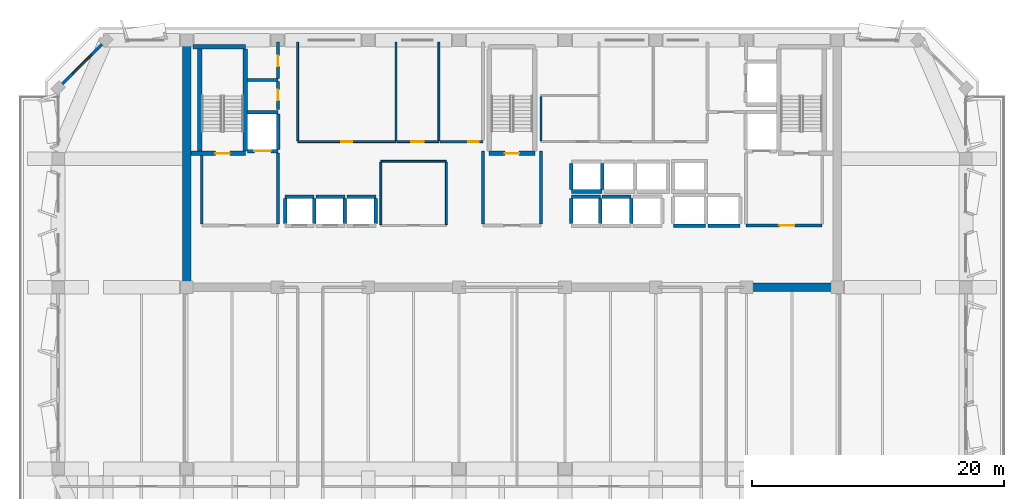
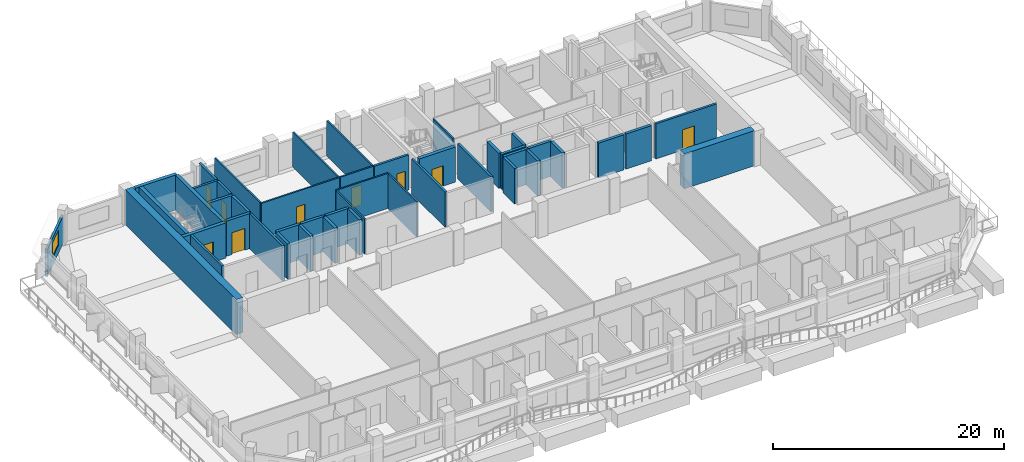
# One storey, part 7 of 13: 46 walls, 9 doors, 1 window, 10 openings.
"""IFC4 building model written with IfcOpenShell, lengths in metres."""

from ifc_helpers import new_model, si_unit, direction, frame, frame_2d, origin, place, context, subcontext, project, spatial, rectangle, extrude, material, layer, layer_set, type_object, element, fill, save


model = new_model("IFC4")

# Units and contexts
model_context = context("Model", 3, precision=1e-05, world=origin(), true_north=direction((0.0, 1.0)))
body_context = subcontext(model_context, "Body", "Model", "MODEL_VIEW")
ifc_project = project(units=[si_unit("LENGTHUNIT", "METRE"), si_unit("AREAUNIT", "SQUARE_METRE"), si_unit("VOLUMEUNIT", "CUBIC_METRE"), si_unit("PLANEANGLEUNIT", "RADIAN"), si_unit("MASSUNIT", "GRAM", prefix="KILO")], contexts=[model_context])

# Site, building, storey
site_placement = place(None, origin())
site = spatial("IfcSite", under=ifc_project, at=site_placement, CompositionType="ELEMENT")
building_placement = place(site_placement, origin())
building = spatial("IfcBuilding", under=site, at=building_placement, Name="Kaelvorn Grand Hotel", CompositionType="ELEMENT")
storey_placement = place(building_placement, frame((0.0, 0.0, 229.14990234375)))
storey = spatial("IfcBuildingStorey", under=building, at=storey_placement, Name="L56", CompositionType="ELEMENT", Elevation=229.14990234375)

# Walls
ifc_material_1 = material(Name="Concrete C50/60", Category="concrete")
ifc_layer_1 = layer(ifc_material_1, 0.699951171875)
ifc_layer_set_1 = layer_set([ifc_layer_1], Name="Concrete C50/60")
wall_type_1 = type_object("IfcWallType", Name="WL-CORE-700-C50", PredefinedType="SHEAR", material=ifc_layer_set_1)
wall_1_placement = place(storey_placement, frame((16.199951171875, 29.39990234375, 0.0), z_axis=(0.0, 0.0, 1.0), x_axis=(0.0, 1.0, 0.0)))
element("IfcWall", 1, at=wall_1_placement, inside=storey, type_object=wall_type_1, Name="L56 Rear-Core West Shear Wall", PredefinedType="SHEAR", context=body_context, shape_type="SweptSolid", body=[
    extrude(rectangle(XDim=19.2001953125, YDim=0.699951171875, at=frame_2d((9.60009765625, 0.0))), origin(), (0.0, 0.0, 1.0), 3.710205078125),
])
wall_2_placement = place(storey_placement, frame((60.39990234375, 29.39990234375, 0.0), z_axis=(0.0, 0.0, 1.0), x_axis=(1.0, 0.0, 0.0)))
element("IfcWall", 2, at=wall_2_placement, inside=storey, type_object=wall_type_1, Name="L56 Rear-Core Coupled Shear Pier S4", PredefinedType="SHEAR", context=body_context, shape_type="SweptSolid", body=[
    extrude(rectangle(XDim=7.045166015625, YDim=0.699951171875, at=frame_2d((3.5224609375, 0.0))), origin(), (0.0, 0.0, 1.0), 3.710205078125),
])

# Wall, opening, window
ifc_material_2 = material(Name="Concrete C40/50", Category="concrete")
ifc_layer_2 = layer(ifc_material_2, 0.219970703125)
ifc_layer_set_2 = layer_set([ifc_layer_2], Name="Concrete C40/50")
wall_type_2 = type_object("IfcWallType", Name="WL-EXT-220-C40", PredefinedType="SOLIDWALL", material=ifc_layer_set_2)
wall_3_placement = place(storey_placement, frame((9.800048828125, 49.0, 0.0), z_axis=(0.0, 0.0, 1.0), x_axis=(-0.707106781187, -0.707106781187, 0.0)))
wall_3 = element("IfcWall", 3, at=wall_3_placement, inside=storey, type_object=wall_type_2, Name="L56 Exterior Architectural Concrete Wall 06", PredefinedType="SOLIDWALL", context=body_context, shape_type="SweptSolid", body=[
    extrude(rectangle(XDim=5.3740234375, YDim=0.219970703125, at=frame_2d((2.68701171875, 0.0))), origin(), (0.0, 0.0, 1.0), 2.91015625),
])
opening_1_placement = place(wall_3_placement, frame((1.636962890625, 0.0, 0.85009765625)))
opening_1 = element("IfcOpeningElement", 4, at=opening_1_placement, cuts=wall_3, Name="Opening W7", PredefinedType="OPENING", context=body_context, shape_type="SweptSolid", body=[
    extrude(rectangle(XDim=2.10009765625, YDim=1.60009765625, at=frame_2d((1.050048828125, 0.800048828125))), frame((0.0, 0.1201171875, 0.0), z_axis=(0.0, -1.0, 0.0), x_axis=(1.0, 0.0, 0.0)), (0.0, 0.0, 1.0), 0.239990234375),
])
ifc_material_3 = material(Name="Laminated Low-E Glass", Category="glass")
window_type = type_object("IfcWindowType", Name="WIN-CHM-2100x1600", PartitioningType="SINGLE_PANEL", PredefinedType="WINDOW", material=ifc_material_3)
window_placement = place(opening_1_placement, origin())
window = element("IfcWindow", 5, at=window_placement, inside=storey, type_object=window_type, Name="L56 Chamfered 45-Degree Corner Window NW", OverallHeight=1.60009765625, OverallWidth=2.10009765625, PartitioningType="SINGLE_PANEL", PredefinedType="WINDOW", context=body_context, shape_type="SweptSolid", body=[
    extrude(rectangle(XDim=2.10009765625, YDim=1.60009765625, at=frame_2d((1.050048828125, 0.800048828125))), frame((0.0, 0.030029296875, 0.0), z_axis=(0.0, -1.0, 0.0), x_axis=(1.0, 0.0, 0.0)), (0.0, 0.0, 1.0), 0.06005859375),
])
fill(opening_1, window)

# Walls
ifc_material_4 = material(Name="Moisture-Resistant Tile & Stud Board")
ifc_layer_3 = layer(ifc_material_4, 0.125)
ifc_layer_set_3 = layer_set([ifc_layer_3], Name="Moisture-Resistant Tile & Stud Board")
wall_type_3 = type_object("IfcWallType", Name="WL-PART-125-WET", PredefinedType="PARTITIONING", material=ifc_layer_set_3)
wall_4_placement = place(storey_placement, frame((44.300048828125, 41.017578125, 0.0), z_axis=(0.0, 0.0, 1.0), x_axis=(0.0, 1.0, 0.0)))
element("IfcWall", 6, at=wall_4_placement, inside=storey, type_object=wall_type_3, Name="L56 Accessible WC W Partition", PredefinedType="PARTITIONING", context=body_context, shape_type="SweptSolid", body=[
    extrude(rectangle(XDim=3.514892578125, YDim=0.125, at=frame_2d((1.75732421875, 0.0))), origin(), (0.0, 0.0, 1.0), 3.710205078125),
])
ifc_material_5 = material(Name="Acoustic Gypsum & Stud Partition")
ifc_layer_4 = layer(ifc_material_5, 0.14990234375)
ifc_layer_set_4 = layer_set([ifc_layer_4], Name="Acoustic Gypsum & Stud Partition")
wall_type_4 = type_object("IfcWallType", Name="WL-PART-150-EI60", PredefinedType="PARTITIONING", material=ifc_layer_set_4)
wall_5_placement = place(storey_placement, frame((31.60009765625, 39.39990234375, 0.0), z_axis=(0.0, 0.0, 1.0), x_axis=(1.0, 0.0, 0.0)))
element("IfcWall", 7, at=wall_5_placement, inside=storey, type_object=wall_type_4, Name="L56 Core Telecoms & BMS Server Room N Partition", PredefinedType="PARTITIONING", context=body_context, shape_type="SweptSolid", body=[
    extrude(rectangle(XDim=5.199951171875, YDim=0.14990234375, at=frame_2d((2.60009765625, 0.0))), origin(), (0.0, 0.0, 1.0), 3.710205078125),
])
for number, where, z_axis, x_axis, name in (
    (8, (31.60009765625, 34.3798828125, 0.0), (0.0, 0.0, 1.0), (0.0, 1.0, 0.0), "L56 Core Telecoms & BMS Server Room W Partition"),
    (9, (36.800048828125, 34.3798828125, 0.0), (0.0, 0.0, 1.0), (0.0, 1.0, 0.0), "L56 Core Telecoms & BMS Server Room E Partition"),
):
    element("IfcWall", number, at=place(storey_placement, frame(where, z_axis=z_axis, x_axis=x_axis)), inside=storey, type_object=wall_type_4, Name=name, PredefinedType="PARTITIONING", context=body_context, shape_type="SweptSolid", body=[
        extrude(rectangle(XDim=4.940185546875, YDim=0.14990234375, at=frame_2d((2.47021484375, 0.0))), origin(), (0.0, 0.0, 1.0), 3.710205078125),
    ])

# Wall, opening, door
wall_6_placement = place(storey_placement, frame((25.0, 40.949951171875, 0.0), z_axis=(0.0, 0.0, 1.0), x_axis=(1.0, 0.0, 0.0)))
wall_6 = element("IfcWall", 10, at=wall_6_placement, inside=storey, type_object=wall_type_4, Name="L56 Housekeeping & Linen Room S Partition", PredefinedType="PARTITIONING", context=body_context, shape_type="SweptSolid", body=[
    extrude(rectangle(XDim=7.800048828125, YDim=0.14990234375, at=frame_2d((3.89990234375, 0.0))), origin(), (0.0, 0.0, 1.0), 3.710205078125),
])
opening_2_placement = place(wall_6_placement, frame((3.47509765625, 0.0, 0.0)))
opening_2 = element("IfcOpeningElement", 11, at=opening_2_placement, cuts=wall_6, Name="Opening DI7", PredefinedType="OPENING", context=body_context, shape_type="SweptSolid", body=[
    extrude(rectangle(XDim=0.85009765625, YDim=2.10009765625, at=frame_2d((0.425048828125, 1.050048828125))), frame((0.0, 0.0849609375, 0.0), z_axis=(0.0, -1.0, 0.0), x_axis=(1.0, 0.0, 0.0)), (0.0, 0.0, 1.0), 0.169921875),
])
ifc_material_6 = material(Name="Powder-Coated Steel Leaf", Category="steel")
door_type_1 = type_object("IfcDoorType", Name="DR-INT-RISER-850x2100", OperationType="NOTDEFINED", PredefinedType="DOOR", material=ifc_material_6)
door_1_placement = place(opening_2_placement, origin())
door_1 = element("IfcDoor", 12, at=door_1_placement, inside=storey, type_object=door_type_1, Name="L56 Housekeeping & Linen Room Door", OperationType="SINGLE_SWING_LEFT", OverallHeight=2.10009765625, OverallWidth=0.85009765625, PredefinedType="DOOR", context=body_context, shape_type="SweptSolid", body=[
    extrude(rectangle(XDim=0.85009765625, YDim=2.10009765625, at=frame_2d((0.425048828125, 1.050048828125))), frame((0.0, 0.02490234375, 0.0), z_axis=(0.0, -1.0, 0.0), x_axis=(1.0, 0.0, 0.0)), (0.0, 0.0, 1.0), 0.050048828125),
])
fill(opening_2, door_1)

# Walls
for number, where, z_axis, x_axis, name in (
    (13, (25.0, 41.030029296875, 0.0), (0.0, 0.0, 1.0), (0.0, 1.0, 0.0), "L56 Housekeeping & Linen Room W Partition"),
    (14, (32.800048828125, 41.030029296875, 0.0), (0.0, 0.0, 1.0), (0.0, 1.0, 0.0), "L56 Housekeeping & Linen Room E Partition"),
):
    element("IfcWall", number, at=place(storey_placement, frame(where, z_axis=z_axis, x_axis=x_axis)), inside=storey, type_object=wall_type_4, Name=name, PredefinedType="PARTITIONING", context=body_context, shape_type="SweptSolid", body=[
        extrude(rectangle(XDim=7.820068359375, YDim=0.14990234375, at=frame_2d((3.91015625, 0.0))), origin(), (0.0, 0.0, 1.0), 3.710205078125),
    ])

# Wall, opening, door
wall_7_placement = place(storey_placement, frame((32.8798828125, 40.949951171875, 0.0), z_axis=(0.0, 0.0, 1.0), x_axis=(1.0, 0.0, 0.0)))
wall_7 = element("IfcWall", 15, at=wall_7_placement, inside=storey, type_object=wall_type_4, Name="L56 Floor Butler Tea Point S Partition", PredefinedType="PARTITIONING", context=body_context, shape_type="SweptSolid", body=[
    extrude(rectangle(XDim=3.320068359375, YDim=0.14990234375, at=frame_2d((1.66015625, 0.0))), origin(), (0.0, 0.0, 1.0), 3.710205078125),
])
opening_3_placement = place(wall_7_placement, frame((1.1201171875, 0.0, 0.0)))
opening_3 = element("IfcOpeningElement", 16, at=opening_3_placement, cuts=wall_7, Name="Opening DI3", PredefinedType="OPENING", context=body_context, shape_type="SweptSolid", body=[
    extrude(rectangle(XDim=1.0, YDim=2.14990234375, at=frame_2d((0.5, 1.074951171875))), frame((0.0, 0.0849609375, 0.0), z_axis=(0.0, -1.0, 0.0), x_axis=(1.0, 0.0, 0.0)), (0.0, 0.0, 1.0), 0.169921875),
])
ifc_material_7 = material(Name="Timber Veneer Fire Leaf", Category="wood")
door_type_2 = type_object("IfcDoorType", Name="DR-INT-GUEST-1000x2150", OperationType="NOTDEFINED", PredefinedType="DOOR", material=ifc_material_7)
door_2_placement = place(opening_3_placement, origin())
door_2 = element("IfcDoor", 17, at=door_2_placement, inside=storey, type_object=door_type_2, Name="L56 Floor Butler Tea Point Door", OperationType="SINGLE_SWING_RIGHT", OverallHeight=2.14990234375, OverallWidth=1.0, PredefinedType="DOOR", context=body_context, shape_type="SweptSolid", body=[
    extrude(rectangle(XDim=1.0, YDim=2.14990234375, at=frame_2d((0.5, 1.074951171875))), frame((0.0, 0.02490234375, 0.0), z_axis=(0.0, -1.0, 0.0), x_axis=(1.0, 0.0, 0.0)), (0.0, 0.0, 1.0), 0.050048828125),
])
fill(opening_3, door_2)

# Walls
wall_8_placement = place(storey_placement, frame((36.199951171875, 41.030029296875, 0.0), z_axis=(0.0, 0.0, 1.0), x_axis=(0.0, 1.0, 0.0)))
element("IfcWall", 18, at=wall_8_placement, inside=storey, type_object=wall_type_4, Name="L56 Floor Butler Tea Point E Partition", PredefinedType="PARTITIONING", context=body_context, shape_type="SweptSolid", body=[
    extrude(rectangle(XDim=7.820068359375, YDim=0.14990234375, at=frame_2d((3.91015625, 0.0))), origin(), (0.0, 0.0, 1.0), 3.710205078125),
])
ifc_layer_5 = layer(ifc_material_2, 0.219970703125)
ifc_layer_set_5 = layer_set([ifc_layer_5], Name="Concrete C40/50")
wall_type_5 = type_object("IfcWallType", Name="WL-PART-220-EI120", PredefinedType="PARTITIONING", material=ifc_layer_set_5)
wall_9_placement = place(storey_placement, frame((17.39990234375, 34.4150390625, 0.0), z_axis=(0.0, 0.0, 1.0), x_axis=(0.0, 1.0, 0.0)))
element("IfcWall", 19, at=wall_9_placement, inside=storey, type_object=wall_type_5, Name="L56 Firefighting Lift Lobby 1 W Partition", PredefinedType="PARTITIONING", context=body_context, shape_type="SweptSolid", body=[
    extrude(rectangle(XDim=5.429931640625, YDim=0.219970703125, at=frame_2d((2.71484375, 0.0))), origin(), (0.0, 0.0, 1.0), 3.710205078125),
])
wall_10_placement = place(storey_placement, frame((23.449951171875, 34.4150390625, 0.0), z_axis=(0.0, 0.0, 1.0), x_axis=(0.0, 1.0, 0.0)))
element("IfcWall", 20, at=wall_10_placement, inside=storey, type_object=wall_type_5, Name="L56 Firefighting Lift Lobby 1 E Partition", PredefinedType="PARTITIONING", context=body_context, shape_type="SweptSolid", body=[
    extrude(rectangle(XDim=5.639892578125, YDim=0.219970703125, at=frame_2d((2.81982421875, 0.0))), origin(), (0.0, 0.0, 1.0), 3.710205078125),
])

# Wall, opening, door
wall_11_placement = place(storey_placement, frame((60.550048828125, 34.300048828125, 0.0), z_axis=(0.0, 0.0, 1.0), x_axis=(1.0, 0.0, 0.0)))
wall_11 = element("IfcWall", 21, at=wall_11_placement, inside=storey, type_object=wall_type_5, Name="L56 Firefighting Lift Lobby 2 S Partition", PredefinedType="PARTITIONING", context=body_context, shape_type="SweptSolid", body=[
    extrude(rectangle(XDim=6.050048828125, YDim=0.219970703125, at=frame_2d((3.02490234375, 0.0))), origin(), (0.0, 0.0, 1.0), 3.710205078125),
])
opening_4_placement = place(wall_11_placement, frame((2.64990234375, 0.0, 0.0)))
opening_4 = element("IfcOpeningElement", 22, at=opening_4_placement, cuts=wall_11, Name="Opening DI2", PredefinedType="OPENING", context=body_context, shape_type="SweptSolid", body=[
    extrude(rectangle(XDim=1.199951171875, YDim=2.14990234375, at=frame_2d((0.60009765625, 1.074951171875))), frame((0.0, 0.1201171875, 0.0), z_axis=(0.0, -1.0, 0.0), x_axis=(1.0, 0.0, 0.0)), (0.0, 0.0, 1.0), 0.239990234375),
])
door_type_3 = type_object("IfcDoorType", Name="DR-INT-FFLOB-1200x2150", OperationType="NOTDEFINED", PredefinedType="DOOR", material=ifc_material_7)
door_3_placement = place(opening_4_placement, origin())
door_3 = element("IfcDoor", 23, at=door_3_placement, inside=storey, type_object=door_type_3, Name="L56 Firefighting Lift Lobby 2 Door", OperationType="SINGLE_SWING_LEFT", OverallHeight=2.14990234375, OverallWidth=1.199951171875, PredefinedType="DOOR", context=body_context, shape_type="SweptSolid", body=[
    extrude(rectangle(XDim=1.199951171875, YDim=2.14990234375, at=frame_2d((0.60009765625, 1.074951171875))), frame((0.0, 0.02490234375, 0.0), z_axis=(0.0, -1.0, 0.0), x_axis=(1.0, 0.0, 0.0)), (0.0, 0.0, 1.0), 0.050048828125),
])
fill(opening_4, door_3)

# Walls
for number, where, z_axis, x_axis, name in (
    (24, (39.699951171875, 34.4150390625, 0.0), (0.0, 0.0, 1.0), (0.0, 1.0, 0.0), "L56 Central Stair Escape Vestibule W Partition"),
    (25, (44.300048828125, 34.4150390625, 0.0), (0.0, 0.0, 1.0), (0.0, 1.0, 0.0), "L56 Central Stair Escape Vestibule E Partition"),
):
    element("IfcWall", number, at=place(storey_placement, frame(where, z_axis=z_axis, x_axis=x_axis)), inside=storey, type_object=wall_type_5, Name=name, PredefinedType="PARTITIONING", context=body_context, shape_type="SweptSolid", body=[
        extrude(rectangle(XDim=5.784912109375, YDim=0.219970703125, at=frame_2d((2.892578125, 0.0))), origin(), (0.0, 0.0, 1.0), 3.710205078125),
    ])
wall_12_placement = place(storey_placement, frame((21.034912109375, 45.85009765625, 0.0), z_axis=(0.0, 0.0, 1.0), x_axis=(1.0, 0.0, 0.0)))
element("IfcWall", 26, at=wall_12_placement, inside=storey, type_object=wall_type_5, Name="L56 Wet Fire & Plumbing Riser Shaft N Partition", PredefinedType="PARTITIONING", context=body_context, shape_type="SweptSolid", body=[
    extrude(rectangle(XDim=2.4150390625, YDim=0.219970703125, at=frame_2d((1.20751953125, 0.0))), origin(), (0.0, 0.0, 1.0), 3.710205078125),
])

# Wall, opening, door
wall_13_placement = place(storey_placement, frame((23.449951171875, 43.5, 0.0), z_axis=(0.0, 0.0, 1.0), x_axis=(0.0, 1.0, 0.0)))
wall_13 = element("IfcWall", 27, at=wall_13_placement, inside=storey, type_object=wall_type_5, Name="L56 Wet Fire & Plumbing Riser Shaft E Partition", PredefinedType="PARTITIONING", context=body_context, shape_type="SweptSolid", body=[
    extrude(rectangle(XDim=2.235107421875, YDim=0.219970703125, at=frame_2d((1.11767578125, 0.0))), origin(), (0.0, 0.0, 1.0), 3.710205078125),
])
opening_5_placement = place(wall_13_placement, frame((0.72509765625, 0.0, 0.0)))
opening_5 = element("IfcOpeningElement", 28, at=opening_5_placement, cuts=wall_13, Name="Opening DI7", PredefinedType="OPENING", context=body_context, shape_type="SweptSolid", body=[
    extrude(rectangle(XDim=0.85009765625, YDim=2.10009765625, at=frame_2d((0.425048828125, 1.050048828125))), frame((0.0, 0.1201171875, 0.0), z_axis=(0.0, -1.0, 0.0), x_axis=(1.0, 0.0, 0.0)), (0.0, 0.0, 1.0), 0.239990234375),
])
door_4_placement = place(opening_5_placement, origin())
door_4 = element("IfcDoor", 29, at=door_4_placement, inside=storey, type_object=door_type_1, Name="L56 Wet Fire & Plumbing Riser Shaft Door", OperationType="SINGLE_SWING_RIGHT", OverallHeight=2.10009765625, OverallWidth=0.85009765625, PredefinedType="DOOR", context=body_context, shape_type="SweptSolid", body=[
    extrude(rectangle(XDim=0.85009765625, YDim=2.10009765625, at=frame_2d((0.425048828125, 1.050048828125))), frame((0.0, 0.02490234375, 0.0), z_axis=(0.0, -1.0, 0.0), x_axis=(1.0, 0.0, 0.0)), (0.0, 0.0, 1.0), 0.050048828125),
])
fill(opening_5, door_4)

wall_14_placement = place(storey_placement, frame((23.449951171875, 45.965087890625, 0.0), z_axis=(0.0, 0.0, 1.0), x_axis=(0.0, 1.0, 0.0)))
wall_14 = element("IfcWall", 30, at=wall_14_placement, inside=storey, type_object=wall_type_5, Name="L56 HV Electrical & Smoke Riser E Partition", PredefinedType="PARTITIONING", context=body_context, shape_type="SweptSolid", body=[
    extrude(rectangle(XDim=2.885009765625, YDim=0.219970703125, at=frame_2d((1.4423828125, 0.0))), origin(), (0.0, 0.0, 1.0), 3.710205078125),
])
opening_6_placement = place(wall_14_placement, frame((0.9599609375, 0.0, 0.0)))
opening_6 = element("IfcOpeningElement", 31, at=opening_6_placement, cuts=wall_14, Name="Opening DI7", PredefinedType="OPENING", context=body_context, shape_type="SweptSolid", body=[
    extrude(rectangle(XDim=0.85009765625, YDim=2.10009765625, at=frame_2d((0.425048828125, 1.050048828125))), frame((0.0, 0.1201171875, 0.0), z_axis=(0.0, -1.0, 0.0), x_axis=(1.0, 0.0, 0.0)), (0.0, 0.0, 1.0), 0.239990234375),
])
door_5_placement = place(opening_6_placement, origin())
door_5 = element("IfcDoor", 32, at=door_5_placement, inside=storey, type_object=door_type_1, Name="L56 HV Electrical & Smoke Riser Door", OperationType="SINGLE_SWING_LEFT", OverallHeight=2.10009765625, OverallWidth=0.85009765625, PredefinedType="DOOR", context=body_context, shape_type="SweptSolid", body=[
    extrude(rectangle(XDim=0.85009765625, YDim=2.10009765625, at=frame_2d((0.425048828125, 1.050048828125))), frame((0.0, 0.02490234375, 0.0), z_axis=(0.0, -1.0, 0.0), x_axis=(1.0, 0.0, 0.0)), (0.0, 0.0, 1.0), 0.050048828125),
])
fill(opening_6, door_5)

wall_15_placement = place(storey_placement, frame((36.280029296875, 40.949951171875, 0.0), z_axis=(0.0, 0.0, 1.0), x_axis=(1.0, 0.0, 0.0)))
wall_15 = element("IfcWall", 33, at=wall_15_placement, inside=storey, type_object=wall_type_5, Name="L56 LV Electrical & Metering Room S Partition", PredefinedType="PARTITIONING", context=body_context, shape_type="SweptSolid", body=[
    extrude(rectangle(XDim=3.419921875, YDim=0.219970703125, at=frame_2d((1.7099609375, 0.0))), origin(), (0.0, 0.0, 1.0), 3.710205078125),
])
opening_7_placement = place(wall_15_placement, frame((2.2451171875, 0.0, 0.0)))
opening_7 = element("IfcOpeningElement", 34, at=opening_7_placement, cuts=wall_15, Name="Opening DI7", PredefinedType="OPENING", context=body_context, shape_type="SweptSolid", body=[
    extrude(rectangle(XDim=0.85009765625, YDim=2.10009765625, at=frame_2d((0.425048828125, 1.050048828125))), frame((0.0, 0.1201171875, 0.0), z_axis=(0.0, -1.0, 0.0), x_axis=(1.0, 0.0, 0.0)), (0.0, 0.0, 1.0), 0.239990234375),
])
door_6_placement = place(opening_7_placement, origin())
door_6 = element("IfcDoor", 35, at=door_6_placement, inside=storey, type_object=door_type_1, Name="L56 LV Electrical & Metering Room Door", OperationType="SINGLE_SWING_LEFT", OverallHeight=2.10009765625, OverallWidth=0.85009765625, PredefinedType="DOOR", context=body_context, shape_type="SweptSolid", body=[
    extrude(rectangle(XDim=0.85009765625, YDim=2.10009765625, at=frame_2d((0.425048828125, 1.050048828125))), frame((0.0, 0.02490234375, 0.0), z_axis=(0.0, -1.0, 0.0), x_axis=(1.0, 0.0, 0.0)), (0.0, 0.0, 1.0), 0.050048828125),
])
fill(opening_7, door_6)

# Walls
ifc_layer_6 = layer(ifc_material_1, 0.280029296875)
ifc_layer_set_6 = layer_set([ifc_layer_6], Name="Concrete C50/60")
wall_type_6 = type_object("IfcWallType", Name="WL-SHAFT-280-C50", PredefinedType="SHEAR", material=ifc_layer_set_6)
wall_16_placement = place(storey_placement, frame((24.0, 36.60009765625, 0.0), z_axis=(0.0, 0.0, 1.0), x_axis=(1.0, 0.0, 0.0)))
element("IfcWall", 36, at=wall_16_placement, inside=storey, type_object=wall_type_6, Name="L56 Lift PL-H1 Shaft North Wall", PredefinedType="SHEAR", context=body_context, shape_type="SweptSolid", body=[
    extrude(rectangle(XDim=2.300048828125, YDim=0.280029296875, at=frame_2d((1.14990234375, 0.0))), origin(), (0.0, 0.0, 1.0), 3.710205078125),
])
for number, where, z_axis, x_axis, name in (
    (37, (24.0, 34.445068359375, 0.0), (0.0, 0.0, 1.0), (0.0, 1.0, 0.0), "L56 Lift PL-H1 Shaft West Wall"),
    (38, (26.300048828125, 34.445068359375, 0.0), (0.0, 0.0, 1.0), (0.0, 1.0, 0.0), "L56 Lift PL-H1 Shaft East Wall"),
):
    element("IfcWall", number, at=place(storey_placement, frame(where, z_axis=z_axis, x_axis=x_axis)), inside=storey, type_object=wall_type_6, Name=name, PredefinedType="SHEAR", context=body_context, shape_type="SweptSolid", body=[
        extrude(rectangle(XDim=2.010009765625, YDim=0.280029296875, at=frame_2d((1.0048828125, 0.0))), origin(), (0.0, 0.0, 1.0), 3.710205078125),
    ])
wall_17_placement = place(storey_placement, frame((26.449951171875, 36.60009765625, 0.0), z_axis=(0.0, 0.0, 1.0), x_axis=(1.0, 0.0, 0.0)))
element("IfcWall", 39, at=wall_17_placement, inside=storey, type_object=wall_type_6, Name="L56 Lift PL-H2 Shaft North Wall", PredefinedType="SHEAR", context=body_context, shape_type="SweptSolid", body=[
    extrude(rectangle(XDim=2.300048828125, YDim=0.280029296875, at=frame_2d((1.14990234375, 0.0))), origin(), (0.0, 0.0, 1.0), 3.710205078125),
])
wall_18_placement = place(storey_placement, frame((28.75, 34.445068359375, 0.0), z_axis=(0.0, 0.0, 1.0), x_axis=(0.0, 1.0, 0.0)))
element("IfcWall", 40, at=wall_18_placement, inside=storey, type_object=wall_type_6, Name="L56 Lift PL-H2 Shaft East Wall", PredefinedType="SHEAR", context=body_context, shape_type="SweptSolid", body=[
    extrude(rectangle(XDim=2.010009765625, YDim=0.280029296875, at=frame_2d((1.0048828125, 0.0))), origin(), (0.0, 0.0, 1.0), 3.710205078125),
])
wall_19_placement = place(storey_placement, frame((28.89990234375, 36.60009765625, 0.0), z_axis=(0.0, 0.0, 1.0), x_axis=(1.0, 0.0, 0.0)))
element("IfcWall", 41, at=wall_19_placement, inside=storey, type_object=wall_type_6, Name="L56 Lift PL-H3 Shaft North Wall", PredefinedType="SHEAR", context=body_context, shape_type="SweptSolid", body=[
    extrude(rectangle(XDim=2.300048828125, YDim=0.280029296875, at=frame_2d((1.14990234375, 0.0))), origin(), (0.0, 0.0, 1.0), 3.710205078125),
])
wall_20_placement = place(storey_placement, frame((31.199951171875, 34.445068359375, 0.0), z_axis=(0.0, 0.0, 1.0), x_axis=(0.0, 1.0, 0.0)))
element("IfcWall", 42, at=wall_20_placement, inside=storey, type_object=wall_type_6, Name="L56 Lift PL-H3 Shaft East Wall", PredefinedType="SHEAR", context=body_context, shape_type="SweptSolid", body=[
    extrude(rectangle(XDim=2.010009765625, YDim=0.280029296875, at=frame_2d((1.0048828125, 0.0))), origin(), (0.0, 0.0, 1.0), 3.710205078125),
])
wall_21_placement = place(storey_placement, frame((46.699951171875, 36.60009765625, 0.0), z_axis=(0.0, 0.0, 1.0), x_axis=(1.0, 0.0, 0.0)))
element("IfcWall", 43, at=wall_21_placement, inside=storey, type_object=wall_type_6, Name="L56 Lift PL-M1 Shaft North Wall", PredefinedType="SHEAR", context=body_context, shape_type="SweptSolid", body=[
    extrude(rectangle(XDim=2.300048828125, YDim=0.280029296875, at=frame_2d((1.14990234375, 0.0))), origin(), (0.0, 0.0, 1.0), 3.710205078125),
])
for number, where, z_axis, x_axis, name in (
    (44, (46.699951171875, 34.445068359375, 0.0), (0.0, 0.0, 1.0), (0.0, 1.0, 0.0), "L56 Lift PL-M1 Shaft West Wall"),
    (45, (49.0, 34.445068359375, 0.0), (0.0, 0.0, 1.0), (0.0, 1.0, 0.0), "L56 Lift PL-M1 Shaft East Wall"),
):
    element("IfcWall", number, at=place(storey_placement, frame(where, z_axis=z_axis, x_axis=x_axis)), inside=storey, type_object=wall_type_6, Name=name, PredefinedType="SHEAR", context=body_context, shape_type="SweptSolid", body=[
        extrude(rectangle(XDim=2.010009765625, YDim=0.280029296875, at=frame_2d((1.0048828125, 0.0))), origin(), (0.0, 0.0, 1.0), 3.710205078125),
    ])
wall_22_placement = place(storey_placement, frame((49.14990234375, 36.60009765625, 0.0), z_axis=(0.0, 0.0, 1.0), x_axis=(1.0, 0.0, 0.0)))
element("IfcWall", 46, at=wall_22_placement, inside=storey, type_object=wall_type_6, Name="L56 Lift PL-M2 Shaft North Wall", PredefinedType="SHEAR", context=body_context, shape_type="SweptSolid", body=[
    extrude(rectangle(XDim=2.300048828125, YDim=0.280029296875, at=frame_2d((1.14990234375, 0.0))), origin(), (0.0, 0.0, 1.0), 3.710205078125),
])
wall_23_placement = place(storey_placement, frame((51.449951171875, 34.445068359375, 0.0), z_axis=(0.0, 0.0, 1.0), x_axis=(0.0, 1.0, 0.0)))
element("IfcWall", 47, at=wall_23_placement, inside=storey, type_object=wall_type_6, Name="L56 Lift PL-M2 Shaft East Wall", PredefinedType="SHEAR", context=body_context, shape_type="SweptSolid", body=[
    extrude(rectangle(XDim=2.010009765625, YDim=0.280029296875, at=frame_2d((1.0048828125, 0.0))), origin(), (0.0, 0.0, 1.0), 3.710205078125),
])
wall_24_placement = place(storey_placement, frame((46.699951171875, 37.0, 0.0), z_axis=(0.0, 0.0, 1.0), x_axis=(1.0, 0.0, 0.0)))
element("IfcWall", 48, at=wall_24_placement, inside=storey, type_object=wall_type_6, Name="L56 Lift SL-1 Shaft South Wall", PredefinedType="SHEAR", context=body_context, shape_type="SweptSolid", body=[
    extrude(rectangle(XDim=2.449951171875, YDim=0.280029296875, at=frame_2d((1.22509765625, 0.0))), origin(), (0.0, 0.0, 1.0), 3.710205078125),
])
for number, where, z_axis, x_axis, name in (
    (49, (46.699951171875, 37.14501953125, 0.0), (0.0, 0.0, 1.0), (0.0, 1.0, 0.0), "L56 Lift SL-1 Shaft West Wall"),
    (50, (49.14990234375, 37.14501953125, 0.0), (0.0, 0.0, 1.0), (0.0, 1.0, 0.0), "L56 Lift SL-1 Shaft East Wall"),
):
    element("IfcWall", number, at=place(storey_placement, frame(where, z_axis=z_axis, x_axis=x_axis)), inside=storey, type_object=wall_type_6, Name=name, PredefinedType="SHEAR", context=body_context, shape_type="SweptSolid", body=[
        extrude(rectangle(XDim=2.06005859375, YDim=0.280029296875, at=frame_2d((1.030029296875, 0.0))), origin(), (0.0, 0.0, 1.0), 3.710205078125),
    ])
for number, where, z_axis, x_axis, name in (
    (51, (54.800048828125, 34.300048828125, 0.0), (0.0, 0.0, 1.0), (1.0, 0.0, 0.0), "L56 Lift OL-1 Shaft South Wall"),
    (52, (57.550048828125, 34.300048828125, 0.0), (0.0, 0.0, 1.0), (1.0, 0.0, 0.0), "L56 Lift OL-2 Shaft South Wall"),
):
    element("IfcWall", number, at=place(storey_placement, frame(where, z_axis=z_axis, x_axis=x_axis)), inside=storey, type_object=wall_type_6, Name=name, PredefinedType="SHEAR", context=body_context, shape_type="SweptSolid", body=[
        extrude(rectangle(XDim=2.550048828125, YDim=0.280029296875, at=frame_2d((1.27490234375, 0.0))), origin(), (0.0, 0.0, 1.0), 3.710205078125),
    ])

# Wall, opening, door
wall_25_placement = place(storey_placement, frame((21.034912109375, 40.199951171875, 0.0), z_axis=(0.0, 0.0, 1.0), x_axis=(1.0, 0.0, 0.0)))
wall_25 = element("IfcWall", 53, at=wall_25_placement, inside=storey, type_object=wall_type_6, Name="L56 Lift FFL1 Shaft South Wall", PredefinedType="SHEAR", context=body_context, shape_type="SweptSolid", body=[
    extrude(rectangle(XDim=2.4150390625, YDim=0.280029296875, at=frame_2d((1.20751953125, 0.0))), origin(), (0.0, 0.0, 1.0), 3.710205078125),
])
opening_8_placement = place(wall_25_placement, frame((0.5400390625, 0.0, 0.0)))
opening_8 = element("IfcOpeningElement", 54, at=opening_8_placement, cuts=wall_25, Name="Opening LD-FFL1", PredefinedType="OPENING", context=body_context, shape_type="SweptSolid", body=[
    extrude(rectangle(XDim=1.300048828125, YDim=2.300048828125, at=frame_2d((0.64990234375, 1.14990234375))), frame((0.0, 0.14990234375, 0.0), z_axis=(0.0, -1.0, 0.0), x_axis=(1.0, 0.0, 0.0)), (0.0, 0.0, 1.0), 0.300048828125),
])
ifc_material_8 = material(Name="Stainless Steel", Category="steel")
door_type_4 = type_object("IfcDoorType", Name="DR-LIFT-SERV-1300x2300", OperationType="DOUBLE_DOOR_SLIDING", PredefinedType="DOOR", material=ifc_material_8)
door_7_placement = place(opening_8_placement, origin())
door_7 = element("IfcDoor", 55, at=door_7_placement, inside=storey, type_object=door_type_4, Name="L56 Lift FFL1 Sliding Landing Door LD-FFL1", OperationType="DOUBLE_DOOR_SLIDING", OverallHeight=2.300048828125, OverallWidth=1.300048828125, PredefinedType="DOOR", context=body_context, shape_type="SweptSolid", body=[
    extrude(rectangle(XDim=1.300048828125, YDim=2.300048828125, at=frame_2d((0.64990234375, 1.14990234375))), frame((0.0, 0.02490234375, 0.0), z_axis=(0.0, -1.0, 0.0), x_axis=(1.0, 0.0, 0.0)), (0.0, 0.0, 1.0), 0.050048828125),
])
fill(opening_8, door_7)

# Walls
wall_26_placement = place(storey_placement, frame((21.034912109375, 43.300048828125, 0.0), z_axis=(0.0, 0.0, 1.0), x_axis=(1.0, 0.0, 0.0)))
element("IfcWall", 56, at=wall_26_placement, inside=storey, type_object=wall_type_6, Name="L56 Lift FFL1 Shaft North Wall", PredefinedType="SHEAR", context=body_context, shape_type="SweptSolid", body=[
    extrude(rectangle(XDim=2.4150390625, YDim=0.280029296875, at=frame_2d((1.20751953125, 0.0))), origin(), (0.0, 0.0, 1.0), 3.710205078125),
])
wall_27_placement = place(storey_placement, frame((23.449951171875, 40.344970703125, 0.0), z_axis=(0.0, 0.0, 1.0), x_axis=(0.0, 1.0, 0.0)))
element("IfcWall", 57, at=wall_27_placement, inside=storey, type_object=wall_type_6, Name="L56 Lift FFL1 Shaft East Wall", PredefinedType="SHEAR", context=body_context, shape_type="SweptSolid", body=[
    extrude(rectangle(XDim=2.81005859375, YDim=0.280029296875, at=frame_2d((1.405029296875, 0.0))), origin(), (0.0, 0.0, 1.0), 3.710205078125),
])

# Wall, opening, door
ifc_material_9 = material(Name="Concrete C60/75", Category="concrete")
ifc_layer_7 = layer(ifc_material_9, 0.35009765625)
ifc_layer_set_7 = layer_set([ifc_layer_7], Name="Concrete C60/75")
wall_type_7 = type_object("IfcWallType", Name="WL-SHAFT-350-C60", PredefinedType="SHEAR", material=ifc_layer_set_7)
wall_28_placement = place(storey_placement, frame((16.554931640625, 40.02490234375, 0.0), z_axis=(0.0, 0.0, 1.0), x_axis=(1.0, 0.0, 0.0)))
wall_28 = element("IfcWall", 58, at=wall_28_placement, inside=storey, type_object=wall_type_7, Name="L56 ST1 Stair Shaft South Wall", PredefinedType="SHEAR", context=body_context, shape_type="SweptSolid", body=[
    extrude(rectangle(XDim=4.300048828125, YDim=0.35009765625, at=frame_2d((2.14990234375, 0.0))), origin(), (0.0, 0.0, 1.0), 3.710205078125),
])
opening_9_placement = place(wall_28_placement, frame((1.909912109375, 0.0, 0.0)))
opening_9 = element("IfcOpeningElement", 59, at=opening_9_placement, cuts=wall_28, Name="Opening DI1", PredefinedType="OPENING", context=body_context, shape_type="SweptSolid", body=[
    extrude(rectangle(XDim=1.14990234375, YDim=2.14990234375, at=frame_2d((0.574951171875, 1.074951171875))), frame((0.0, 0.18505859375, 0.0), z_axis=(0.0, -1.0, 0.0), x_axis=(1.0, 0.0, 0.0)), (0.0, 0.0, 1.0), 0.3701171875),
])
door_type_5 = type_object("IfcDoorType", Name="DR-INT-STAIR-1150x2150", OperationType="NOTDEFINED", PredefinedType="DOOR", material=ifc_material_7)
door_8_placement = place(opening_9_placement, origin())
door_8 = element("IfcDoor", 60, at=door_8_placement, inside=storey, type_object=door_type_5, Name="L56 ST1 Exit Stair Fire Door", OperationType="SINGLE_SWING_LEFT", OverallHeight=2.14990234375, OverallWidth=1.14990234375, PredefinedType="DOOR", context=body_context, shape_type="SweptSolid", body=[
    extrude(rectangle(XDim=1.14990234375, YDim=2.14990234375, at=frame_2d((0.574951171875, 1.074951171875))), frame((0.0, 0.02490234375, 0.0), z_axis=(0.0, -1.0, 0.0), x_axis=(1.0, 0.0, 0.0)), (0.0, 0.0, 1.0), 0.050048828125),
])
fill(opening_9, door_8)

# Walls
wall_29_placement = place(storey_placement, frame((16.705078125, 48.47509765625, 0.0), z_axis=(0.0, 0.0, 1.0), x_axis=(1.0, 0.0, 0.0)))
element("IfcWall", 61, at=wall_29_placement, inside=storey, type_object=wall_type_7, Name="L56 ST1 Stair Shaft North Wall", PredefinedType="SHEAR", context=body_context, shape_type="SweptSolid", body=[
    extrude(rectangle(XDim=4.14990234375, YDim=0.35009765625, at=frame_2d((2.074951171875, 0.0))), origin(), (0.0, 0.0, 1.0), 3.710205078125),
])
for number, where, z_axis, x_axis, name in (
    (62, (17.22509765625, 40.205078125, 0.0), (0.0, 0.0, 1.0), (0.0, 1.0, 0.0), "L56 ST1 Stair Shaft West Wall"),
    (63, (20.85498046875, 40.205078125, 0.0), (0.0, 0.0, 1.0), (0.0, 1.0, 0.0), "L56 ST1 Stair Shaft East Wall"),
):
    element("IfcWall", number, at=place(storey_placement, frame(where, z_axis=z_axis, x_axis=x_axis)), inside=storey, type_object=wall_type_7, Name=name, PredefinedType="SHEAR", context=body_context, shape_type="SweptSolid", body=[
        extrude(rectangle(XDim=8.08984375, YDim=0.35009765625, at=frame_2d((4.044921875, 0.0))), origin(), (0.0, 0.0, 1.0), 3.710205078125),
    ])

# Wall, opening, door
wall_30_placement = place(storey_placement, frame((40.18505859375, 40.02490234375, 0.0), z_axis=(0.0, 0.0, 1.0), x_axis=(1.0, 0.0, 0.0)))
wall_30 = element("IfcWall", 64, at=wall_30_placement, inside=storey, type_object=wall_type_7, Name="L56 ST2 Stair Shaft South Wall", PredefinedType="SHEAR", context=body_context, shape_type="SweptSolid", body=[
    extrude(rectangle(XDim=3.6298828125, YDim=0.35009765625, at=frame_2d((1.81494140625, 0.0))), origin(), (0.0, 0.0, 1.0), 3.710205078125),
])
opening_10_placement = place(wall_30_placement, frame((1.239990234375, 0.0, 0.0)))
opening_10 = element("IfcOpeningElement", 65, at=opening_10_placement, cuts=wall_30, Name="Opening DI1", PredefinedType="OPENING", context=body_context, shape_type="SweptSolid", body=[
    extrude(rectangle(XDim=1.14990234375, YDim=2.14990234375, at=frame_2d((0.574951171875, 1.074951171875))), frame((0.0, 0.18505859375, 0.0), z_axis=(0.0, -1.0, 0.0), x_axis=(1.0, 0.0, 0.0)), (0.0, 0.0, 1.0), 0.3701171875),
])
door_9_placement = place(opening_10_placement, origin())
door_9 = element("IfcDoor", 66, at=door_9_placement, inside=storey, type_object=door_type_5, Name="L56 ST2 Exit Stair Fire Door", OperationType="SINGLE_SWING_RIGHT", OverallHeight=2.14990234375, OverallWidth=1.14990234375, PredefinedType="DOOR", context=body_context, shape_type="SweptSolid", body=[
    extrude(rectangle(XDim=1.14990234375, YDim=2.14990234375, at=frame_2d((0.574951171875, 1.074951171875))), frame((0.0, 0.02490234375, 0.0), z_axis=(0.0, -1.0, 0.0), x_axis=(1.0, 0.0, 0.0)), (0.0, 0.0, 1.0), 0.050048828125),
])
fill(opening_10, door_9)

save(model, "model.ifc")
